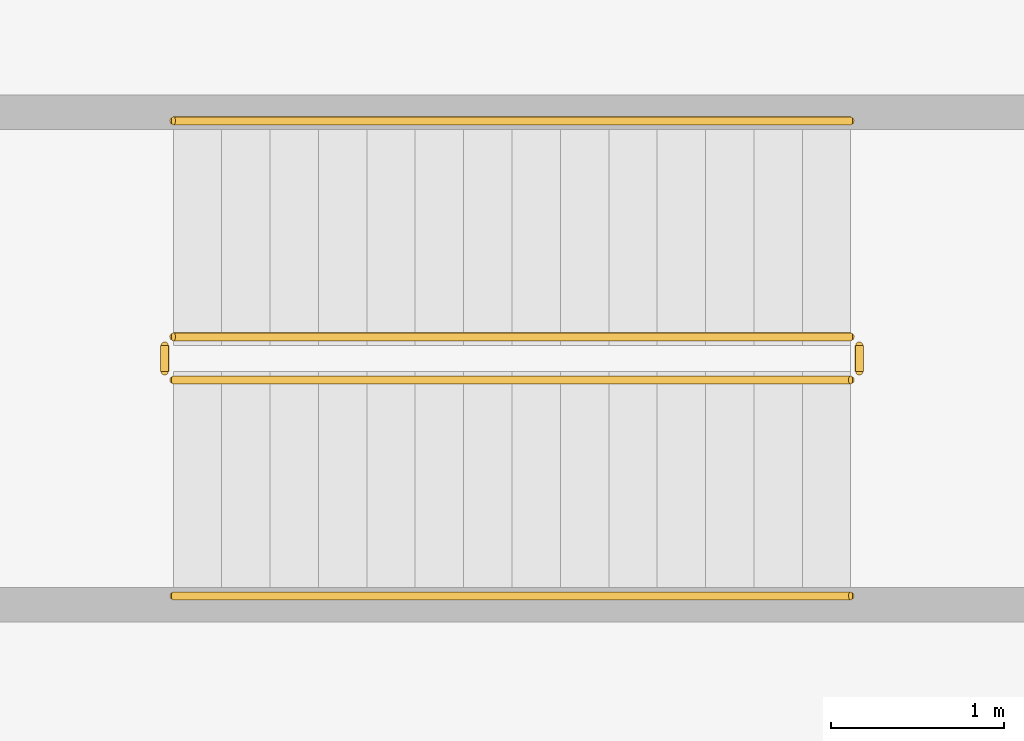
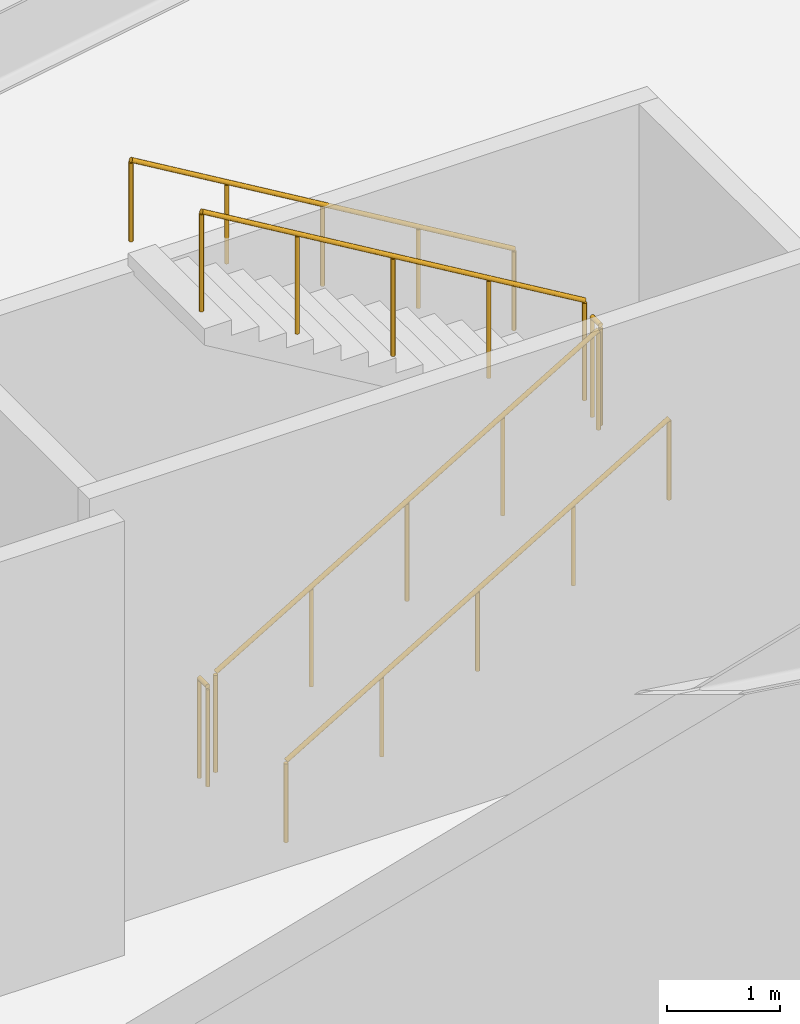
# One storey, part 12 of 14: 6 railings.
"""IFC4 building model written with IfcOpenShell, lengths in metres."""

from ifc_helpers import new_model, si_unit, direction, frame, origin, origin_2d, place, context, subcontext, project, spatial, circle, extrude, source, transform, mapped, material, type_object, element, save


model = new_model("IFC4")

# Units and contexts
model_context = context("Model", 3, precision=1e-05, world=origin(), true_north=direction((0.0, 1.0)))
body_context = subcontext(model_context, "Body", "Model", "MODEL_VIEW")
ifc_project = project(units=[si_unit("LENGTHUNIT", "METRE"), si_unit("AREAUNIT", "SQUARE_METRE"), si_unit("VOLUMEUNIT", "CUBIC_METRE"), si_unit("PLANEANGLEUNIT", "RADIAN"), si_unit("MASSUNIT", "GRAM", prefix="KILO")], contexts=[model_context])

# Site, building, storey
site_placement = place(None, origin())
site = spatial("IfcSite", under=ifc_project, at=site_placement, CompositionType="ELEMENT")
building_placement = place(site_placement, origin())
building = spatial("IfcBuilding", under=site, at=building_placement, Name="Embergate Tower", CompositionType="ELEMENT")
storey_placement = place(building_placement, frame((0.0, 0.0, -10.0)))
storey = spatial("IfcBuildingStorey", under=building, at=storey_placement, Name="B2", CompositionType="ELEMENT", Elevation=-10.0)

# Railings
ifc_material = material(Name="Steel", Category="steel")
railing_type_1 = type_object("IfcRailingType", Name="Exit stair guard 1100", PredefinedType="GUARDRAIL", material=ifc_material)
shared_shape_1 = source(origin(), body_context, "Body", "SweptSolid", [
    extrude(circle(Radius=0.02392578125, at=origin_2d()), frame((0.0, 0.0, 1.076171875), z_axis=(0.0, 1.0, 0.0), x_axis=(-1.0, 0.0, 0.0)), (0.0, 0.0, 1.0), 0.14990234375),
    extrude(circle(Radius=0.02099609375, at=origin_2d()), origin(), (0.0, 0.0, 1.0), 1.052001953125),
    extrude(circle(Radius=0.02099609375, at=origin_2d()), frame((0.0, 0.14990234375, 0.0)), (0.0, 0.0, 1.0), 1.052001953125),
])
for number, where, name in (
    (1, (31.77001953125, -0.074951171875, 2.5), "B2 XE1 stair guard 2"),
    (2, (27.75, -0.074951171875, 0.0), "B2 XE1 stair guard 4"),
):
    element("IfcRailing", number, at=place(storey_placement, frame(where)), inside=storey, type_object=railing_type_1, Name=name, PredefinedType="GUARDRAIL", context=body_context, shape_type="MappedRepresentation", body=[
        mapped(shared_shape_1, transform((0.0, 0.0, 0.0))),
    ])
shared_shape_2 = source(origin(), body_context, "Body", "SweptSolid", [
    extrude(circle(Radius=0.02392578125, at=origin_2d()), frame((0.0, 0.0, 1.076171875), z_axis=(0.859296244711, 0.0, 0.511478214419), x_axis=(0.0, 1.0, 0.0)), (0.0, 0.0, 1.0), 4.561767578125),
    extrude(circle(Radius=0.02099609375, at=origin_2d()), origin(), (0.0, 0.0, 1.0), 1.052001953125),
    extrude(circle(Radius=0.02099609375, at=origin_2d()), frame((0.97998046875, 0.0, 0.583251953125)), (0.0, 0.0, 1.0), 1.052001953125),
    extrude(circle(Radius=0.02099609375, at=origin_2d()), frame((1.9599609375, 0.0, 1.16650390625)), (0.0, 0.0, 1.0), 1.052001953125),
    extrude(circle(Radius=0.02099609375, at=origin_2d()), frame((2.93994140625, 0.0, 1.75)), (0.0, 0.0, 1.0), 1.052001953125),
    extrude(circle(Radius=0.02099609375, at=origin_2d()), frame((3.919921875, 0.0, 2.333251953125)), (0.0, 0.0, 1.0), 1.052001953125),
])
railing_1_placement = place(storey_placement, frame((27.800048828125, -0.125, 0.166748046875)))
element("IfcRailing", 3, at=railing_1_placement, inside=storey, type_object=railing_type_1, Name="B2 XE1 stair guard 1", PredefinedType="GUARDRAIL", context=body_context, shape_type="MappedRepresentation", body=[
    mapped(shared_shape_2, transform((0.0, 0.0, 0.0))),
])
shared_shape_3 = source(origin(), body_context, "Body", "SweptSolid", [
    extrude(circle(Radius=0.02392578125, at=origin_2d()), frame((0.0, 0.0, 1.076171875), z_axis=(-0.859296244711, 0.0, 0.511478214419), x_axis=(0.0, -1.0, 0.0)), (0.0, 0.0, 1.0), 4.561767578125),
    extrude(circle(Radius=0.02099609375, at=origin_2d()), origin(), (0.0, 0.0, 1.0), 1.052001953125),
    extrude(circle(Radius=0.02099609375, at=origin_2d()), frame((-0.97998046875, 0.0, 0.583251953125)), (0.0, 0.0, 1.0), 1.052001953125),
    extrude(circle(Radius=0.02099609375, at=origin_2d()), frame((-1.9599609375, 0.0, 1.16650390625)), (0.0, 0.0, 1.0), 1.052001953125),
    extrude(circle(Radius=0.02099609375, at=origin_2d()), frame((-2.93994140625, 0.0, 1.75)), (0.0, 0.0, 1.0), 1.052001953125),
    extrude(circle(Radius=0.02099609375, at=origin_2d()), frame((-3.919921875, 0.0, 2.333251953125)), (0.0, 0.0, 1.0), 1.052001953125),
])
railing_2_placement = place(storey_placement, frame((31.719970703125, 0.125, 2.666748046875)))
element("IfcRailing", 4, at=railing_2_placement, inside=storey, type_object=railing_type_1, Name="B2 XE1 stair guard 3", PredefinedType="GUARDRAIL", context=body_context, shape_type="MappedRepresentation", body=[
    mapped(shared_shape_3, transform((0.0, 0.0, 0.0))),
])
railing_type_2 = type_object("IfcRailingType", Name="Exit stair handrail 900", PredefinedType="HANDRAIL", material=ifc_material)
shared_shape_4 = source(origin(), body_context, "Body", "SweptSolid", [
    extrude(circle(Radius=0.02392578125, at=origin_2d()), frame((0.0, 0.0, 0.8759765625), z_axis=(0.859296244711, 0.0, 0.511478214419), x_axis=(0.0, 1.0, 0.0)), (0.0, 0.0, 1.0), 4.561767578125),
    extrude(circle(Radius=0.02099609375, at=origin_2d()), origin(), (0.0, 0.0, 1.0), 0.851806640625),
    extrude(circle(Radius=0.02099609375, at=origin_2d()), frame((0.97998046875, 0.0, 0.583251953125)), (0.0, 0.0, 1.0), 0.851806640625),
    extrude(circle(Radius=0.02099609375, at=origin_2d()), frame((1.9599609375, 0.0, 1.16650390625)), (0.0, 0.0, 1.0), 0.851806640625),
    extrude(circle(Radius=0.02099609375, at=origin_2d()), frame((2.93994140625, 0.0, 1.75)), (0.0, 0.0, 1.0), 0.851806640625),
    extrude(circle(Radius=0.02099609375, at=origin_2d()), frame((3.919921875, 0.0, 2.333251953125)), (0.0, 0.0, 1.0), 0.851806640625),
])
railing_3_placement = place(storey_placement, frame((27.800048828125, -1.375, 0.166748046875)))
element("IfcRailing", 5, at=railing_3_placement, inside=storey, type_object=railing_type_2, Name="B2 XE1 stair handrail 1", PredefinedType="HANDRAIL", context=body_context, shape_type="MappedRepresentation", body=[
    mapped(shared_shape_4, transform((0.0, 0.0, 0.0))),
])
shared_shape_5 = source(origin(), body_context, "Body", "SweptSolid", [
    extrude(circle(Radius=0.02392578125, at=origin_2d()), frame((0.0, 0.0, 0.8759765625), z_axis=(-0.859296244711, 0.0, 0.511478214419), x_axis=(0.0, -1.0, 0.0)), (0.0, 0.0, 1.0), 4.561767578125),
    extrude(circle(Radius=0.02099609375, at=origin_2d()), origin(), (0.0, 0.0, 1.0), 0.851806640625),
    extrude(circle(Radius=0.02099609375, at=origin_2d()), frame((-0.97998046875, 0.0, 0.583251953125)), (0.0, 0.0, 1.0), 0.851806640625),
    extrude(circle(Radius=0.02099609375, at=origin_2d()), frame((-1.9599609375, 0.0, 1.16650390625)), (0.0, 0.0, 1.0), 0.851806640625),
    extrude(circle(Radius=0.02099609375, at=origin_2d()), frame((-2.93994140625, 0.0, 1.75)), (0.0, 0.0, 1.0), 0.851806640625),
    extrude(circle(Radius=0.02099609375, at=origin_2d()), frame((-3.919921875, 0.0, 2.333251953125)), (0.0, 0.0, 1.0), 0.851806640625),
])
railing_4_placement = place(storey_placement, frame((31.719970703125, 1.375, 2.666748046875)))
element("IfcRailing", 6, at=railing_4_placement, inside=storey, type_object=railing_type_2, Name="B2 XE1 stair handrail 2", PredefinedType="HANDRAIL", context=body_context, shape_type="MappedRepresentation", body=[
    mapped(shared_shape_5, transform((0.0, 0.0, 0.0))),
])

save(model, "model.ifc")
